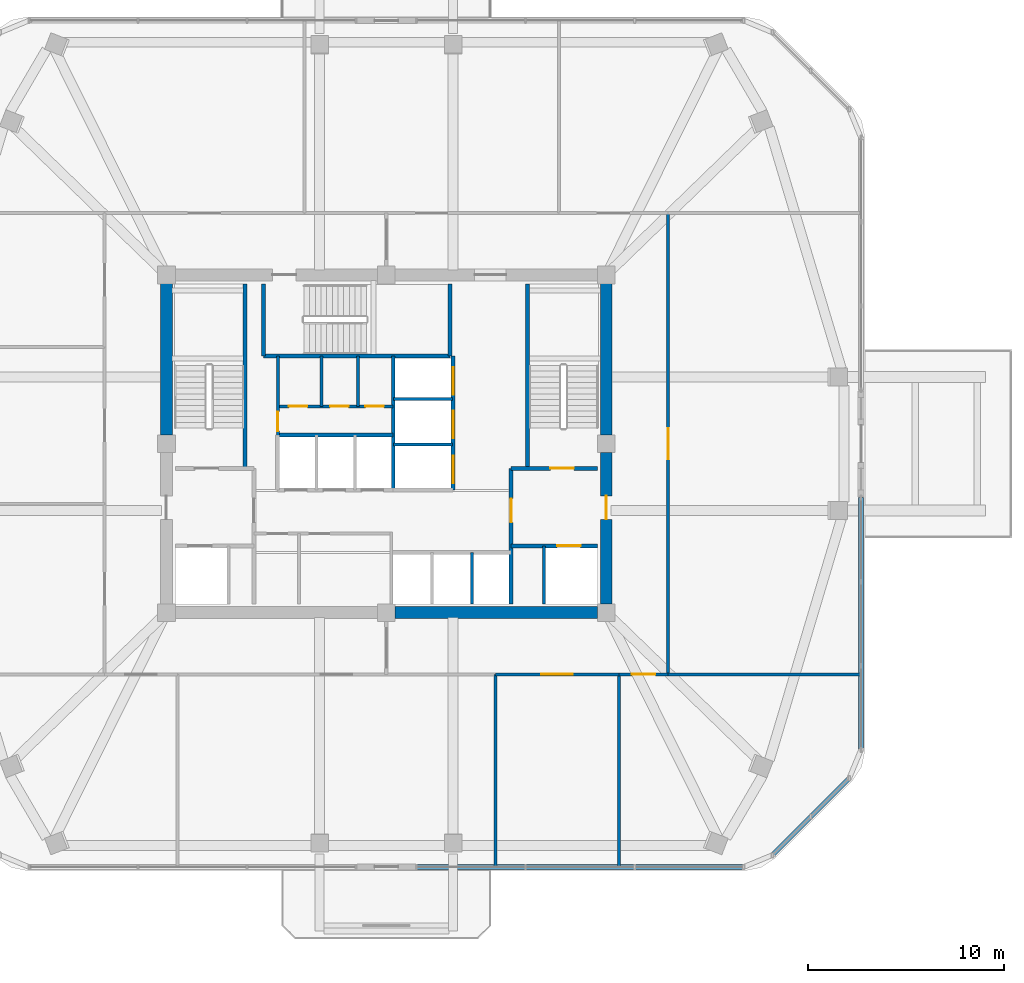
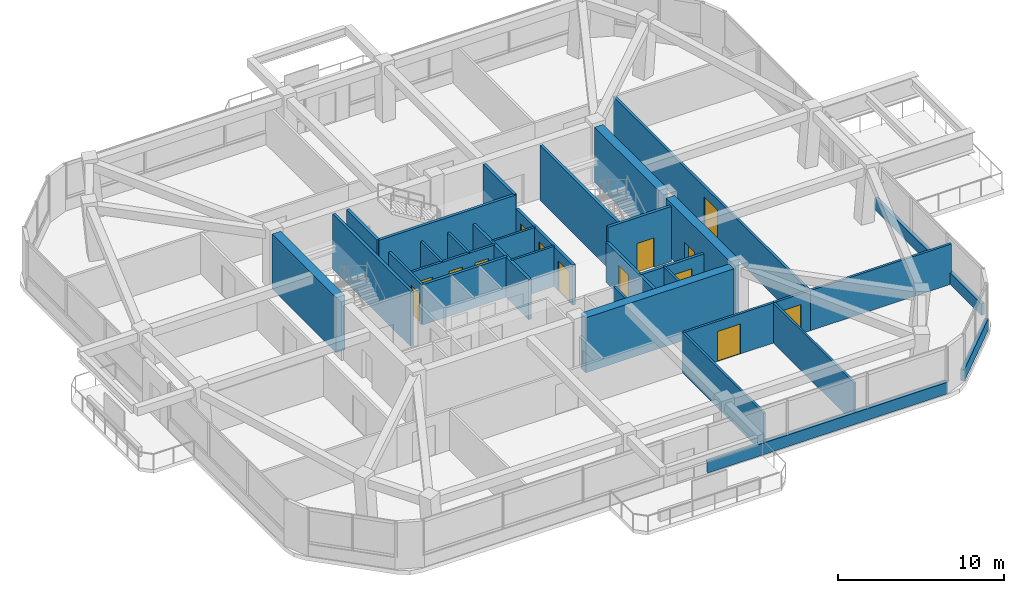
# One storey, part 8 of 13: 32 walls, 14 doors, 14 openings.
"""IFC4 building model written with IfcOpenShell, lengths in metres."""

from ifc_helpers import new_model, si_unit, derived_unit, direction, frame, frame_2d, origin, place, context, subcontext, project, spatial, rectangle, extrude, material, layer, layer_set, type_object, element, fill, save


model = new_model("IFC4")

# Units and contexts
model_context = context("Model", 3, precision=1e-05, world=origin(), true_north=direction((0.0, 1.0)))
body_context = subcontext(model_context, "Body", "Model", "MODEL_VIEW")
ifc_project = project(units=[si_unit("LENGTHUNIT", "METRE"), si_unit("AREAUNIT", "SQUARE_METRE"), si_unit("VOLUMEUNIT", "CUBIC_METRE"), si_unit("PLANEANGLEUNIT", "RADIAN"), si_unit("MASSUNIT", "GRAM", prefix="KILO"), derived_unit("THERMALTRANSMITTANCEUNIT", [(si_unit("POWERUNIT", "WATT"), 1), (si_unit("LENGTHUNIT", "METRE"), -2), (si_unit("THERMODYNAMICTEMPERATUREUNIT", "KELVIN"), -1)])], contexts=[model_context])

# Site, building, storey
site_placement = place(None, origin())
site = spatial("IfcSite", under=ifc_project, at=site_placement, CompositionType="ELEMENT")
building_placement = place(site_placement, origin())
building = spatial("IfcBuilding", under=site, at=building_placement, Name="Koralith Skygarden Medical Center", CompositionType="ELEMENT")
storey_placement = place(building_placement, frame((0.0, 0.0, 188.4599609375)))
storey = spatial("IfcBuildingStorey", under=building, at=storey_placement, Name="L48", CompositionType="ELEMENT", Elevation=188.4599609375)

# Walls
ifc_material_1 = material(Name="Gypsum Board Partition")
ifc_layer_1 = layer(ifc_material_1, 0.14990234375)
ifc_layer_set_1 = layer_set([ifc_layer_1], Name="Gypsum Board Partition")
wall_type_1 = type_object("IfcWallType", Name="Clinical Acoustic Partition 150", PredefinedType="PARTITIONING", material=ifc_layer_set_1)
for number, where, z_axis, x_axis, name in (
    (1, (33.699951171875, 27.800048828125, 0.0), (0.0, 0.0, 1.0), (0.0, 1.0, 0.0), "L48 Clinical Acoustic Partition 150 W-CORE-L48-FLEX-V2A"),
    (2, (35.56005859375, 27.800048828125, 0.0), (0.0, 0.0, 1.0), (0.0, 1.0, 0.0), "L48 Clinical Acoustic Partition 150 W-CORE-L48-FLEX-V2B"),
):
    element("IfcWall", number, at=place(storey_placement, frame(where, z_axis=z_axis, x_axis=x_axis)), inside=storey, type_object=wall_type_1, Name=name, PredefinedType="PARTITIONING", context=body_context, shape_type="SweptSolid", body=[
        extrude(rectangle(XDim=2.56005859375, YDim=0.14990234375, at=frame_2d((1.280029296875, 0.0))), origin(), (0.0, 0.0, 1.0), 2.949951171875),
    ])
for number, where, z_axis, x_axis, name in (
    (3, (42.553955078125, 14.14990234375, 0.0), (0.0, 0.0, 1.0), (0.0, -1.0, 0.0), "L48 Clinical Acoustic Partition 150 W-AMPART-L48-S-2"),
    (4, (48.85009765625, 14.14990234375, 0.0), (0.0, 0.0, 1.0), (0.0, -1.0, 0.0), "L48 Clinical Acoustic Partition 150 W-AMPART-L48-S-3"),
):
    element("IfcWall", number, at=place(storey_placement, frame(where, z_axis=z_axis, x_axis=x_axis)), inside=storey, type_object=wall_type_1, Name=name, PredefinedType="PARTITIONING", context=body_context, shape_type="SweptSolid", body=[
        extrude(rectangle(XDim=9.785888671875, YDim=0.14990234375, at=frame_2d((4.89306640625, 0.0))), origin(), (0.0, 0.0, 1.0), 2.949951171875),
    ])
ifc_layer_2 = layer(ifc_material_1, 0.1650390625)
ifc_layer_set_2 = layer_set([ifc_layer_2], Name="Gypsum Board Partition")
wall_type_2 = type_object("IfcWallType", Name="Clinical Corridor Partition 165", PredefinedType="PARTITIONING", material=ifc_layer_set_2)
wall_1_placement = place(storey_placement, frame((51.35009765625, 14.14990234375, 0.0), z_axis=(0.0, 0.0, 1.0), x_axis=(1.0, 0.0, 0.0)))
element("IfcWall", 5, at=wall_1_placement, inside=storey, type_object=wall_type_2, Name="L48 Clinical Corridor Partition 165 W-WB-L48-SE", PredefinedType="PARTITIONING", context=body_context, shape_type="SweptSolid", body=[
    extrude(rectangle(XDim=9.809814453125, YDim=0.1650390625, at=frame_2d((4.90478515625, 0.0))), origin(), (0.0, 0.0, 1.0), 2.949951171875),
])

# Wall, opening, door
wall_2_placement = place(storey_placement, frame((42.553955078125, 14.14990234375, 0.0), z_axis=(0.0, 0.0, 1.0), x_axis=(1.0, 0.0, 0.0)))
wall_2 = element("IfcWall", 6, at=wall_2_placement, inside=storey, type_object=wall_type_2, Name="L48 Clinical Corridor Partition 165 W-AMCOR-L48-S-3", PredefinedType="PARTITIONING", context=body_context, shape_type="SweptSolid", body=[
    extrude(rectangle(XDim=6.296142578125, YDim=0.1650390625, at=frame_2d((3.14794921875, 0.0))), origin(), (0.0, 0.0, 1.0), 2.949951171875),
])
opening_1_placement = place(wall_2_placement, frame((2.347900390625, 0.0, 0.0)))
opening_1 = element("IfcOpeningElement", 7, at=opening_1_placement, cuts=wall_2, Name="Opening D-DBL", PredefinedType="OPENING", context=body_context, shape_type="SweptSolid", body=[
    extrude(rectangle(XDim=1.60009765625, YDim=2.199951171875, at=frame_2d((0.800048828125, 1.10009765625))), frame((0.0, 0.092529296875, 0.0), z_axis=(0.0, -1.0, 0.0), x_axis=(1.0, 0.0, 0.0)), (0.0, 0.0, 1.0), 0.18505859375),
])
ifc_material_2 = material(Name="Aluminium 6063-T6", Category="aluminium")
door_type_1 = type_object("IfcDoorType", Name="Double Clinical Suite Door D-DBL 1600", OperationType="NOTDEFINED", PredefinedType="DOOR", material=ifc_material_2)
door_1_placement = place(opening_1_placement, frame((1.60009765625, 0.0, 0.0), z_axis=(0.0, 0.0, 1.0), x_axis=(-1.0, 0.0, 0.0)))
door_1 = element("IfcDoor", 8, at=door_1_placement, inside=storey, type_object=door_type_1, Name="L48 Rehabilitation Care Coordinator Office Door", OperationType="DOUBLE_DOOR_SINGLE_SWING", OverallHeight=2.199951171875, OverallWidth=1.60009765625, PredefinedType="DOOR", context=body_context, shape_type="SweptSolid", body=[
    extrude(rectangle(XDim=1.60009765625, YDim=2.199951171875, at=frame_2d((0.800048828125, 1.10009765625))), frame((0.0, 0.02490234375, 0.0), z_axis=(0.0, -1.0, 0.0), x_axis=(1.0, 0.0, 0.0)), (0.0, 0.0, 1.0), 0.050048828125),
])
fill(opening_1, door_1)

wall_3_placement = place(storey_placement, frame((48.85009765625, 14.14990234375, 0.0), z_axis=(0.0, 0.0, 1.0), x_axis=(1.0, 0.0, 0.0)))
wall_3 = element("IfcWall", 9, at=wall_3_placement, inside=storey, type_object=wall_type_2, Name="L48 Clinical Corridor Partition 165 W-AMCOR-L48-S-4", PredefinedType="PARTITIONING", context=body_context, shape_type="SweptSolid", body=[
    extrude(rectangle(XDim=2.5, YDim=0.1650390625, at=frame_2d((1.25, 0.0))), origin(), (0.0, 0.0, 1.0), 2.949951171875),
])
opening_2_placement = place(wall_3_placement, frame((0.64990234375, 0.0, 0.0)))
opening_2 = element("IfcOpeningElement", 10, at=opening_2_placement, cuts=wall_3, Name="Opening D-CLN", PredefinedType="OPENING", context=body_context, shape_type="SweptSolid", body=[
    extrude(rectangle(XDim=1.199951171875, YDim=2.14990234375, at=frame_2d((0.60009765625, 1.074951171875))), frame((0.0, 0.092529296875, 0.0), z_axis=(0.0, -1.0, 0.0), x_axis=(1.0, 0.0, 0.0)), (0.0, 0.0, 1.0), 0.18505859375),
])
door_type_2 = type_object("IfcDoorType", Name="Clinical Corridor Door D-CLN 1200", OperationType="NOTDEFINED", PredefinedType="DOOR", material=ifc_material_2)
door_2_placement = place(opening_2_placement, frame((1.199951171875, 0.0, 0.0), z_axis=(0.0, 0.0, 1.0), x_axis=(-1.0, 0.0, 0.0)))
door_2 = element("IfcDoor", 11, at=door_2_placement, inside=storey, type_object=door_type_2, Name="L48 Public Accessible Restroom WC Door", OperationType="SINGLE_SWING_LEFT", OverallHeight=2.14990234375, OverallWidth=1.199951171875, PredefinedType="DOOR", context=body_context, shape_type="SweptSolid", body=[
    extrude(rectangle(XDim=1.199951171875, YDim=2.14990234375, at=frame_2d((0.60009765625, 1.074951171875))), frame((0.0, 0.02490234375, 0.0), z_axis=(0.0, -1.0, 0.0), x_axis=(1.0, 0.0, 0.0)), (0.0, 0.0, 1.0), 0.050048828125),
])
fill(opening_2, door_2)

wall_4_placement = place(storey_placement, frame((51.35009765625, 14.14990234375, 0.0), z_axis=(0.0, 0.0, 1.0), x_axis=(0.0, 1.0, 0.0)))
wall_4 = element("IfcWall", 12, at=wall_4_placement, inside=storey, type_object=wall_type_2, Name="L48 Clinical Corridor Partition 165 W-AMCOR-L48-E-1", PredefinedType="PARTITIONING", context=body_context, shape_type="SweptSolid", body=[
    extrude(rectangle(XDim=23.5, YDim=0.1650390625, at=frame_2d((11.75, 0.0))), origin(), (0.0, 0.0, 1.0), 2.949951171875),
])
opening_3_placement = place(wall_4_placement, frame((10.949951171875, 0.0, 0.0)))
opening_3 = element("IfcOpeningElement", 13, at=opening_3_placement, cuts=wall_4, Name="Opening D-DBL", PredefinedType="OPENING", context=body_context, shape_type="SweptSolid", body=[
    extrude(rectangle(XDim=1.60009765625, YDim=2.199951171875, at=frame_2d((0.800048828125, 1.10009765625))), frame((0.0, 0.092529296875, 0.0), z_axis=(0.0, -1.0, 0.0), x_axis=(1.0, 0.0, 0.0)), (0.0, 0.0, 1.0), 0.18505859375),
])
door_3_placement = place(opening_3_placement, origin())
door_3 = element("IfcDoor", 14, at=door_3_placement, inside=storey, type_object=door_type_1, Name="L48 Hydrotherapy Sky-Pool Lounge and Observation Hall Door", OperationType="DOUBLE_DOOR_SINGLE_SWING", OverallHeight=2.199951171875, OverallWidth=1.60009765625, PredefinedType="DOOR", context=body_context, shape_type="SweptSolid", body=[
    extrude(rectangle(XDim=1.60009765625, YDim=2.199951171875, at=frame_2d((0.800048828125, 1.10009765625))), frame((0.0, 0.02490234375, 0.0), z_axis=(0.0, -1.0, 0.0), x_axis=(1.0, 0.0, 0.0)), (0.0, 0.0, 1.0), 0.050048828125),
])
fill(opening_3, door_3)

ifc_layer_3 = layer(ifc_material_1, 0.199951171875)
ifc_layer_set_3 = layer_set([ifc_layer_3], Name="Gypsum Board Partition")
wall_type_3 = type_object("IfcWallType", Name="Fire Shaft Wall 200", PredefinedType="SOLIDWALL", material=ifc_layer_set_3)
wall_5_placement = place(storey_placement, frame((43.35009765625, 20.699951171875, 0.0), z_axis=(0.0, 0.0, 1.0), x_axis=(1.0, 0.0, 0.0)))
wall_5 = element("IfcWall", 15, at=wall_5_placement, inside=storey, type_object=wall_type_3, Name="L48 Fire Shaft Wall 200 W-CORE-L48-FF2-N", PredefinedType="SOLIDWALL", context=body_context, shape_type="SweptSolid", body=[
    extrude(rectangle(XDim=4.39990234375, YDim=0.199951171875, at=frame_2d((2.199951171875, 0.0))), origin(), (0.0, 0.0, 1.0), 2.949951171875),
])
opening_4_placement = place(wall_5_placement, frame((2.35009765625, 0.0, 0.0)))
opening_4 = element("IfcOpeningElement", 16, at=opening_4_placement, cuts=wall_5, Name="Opening LD-FF", PredefinedType="OPENING", context=body_context, shape_type="SweptSolid", body=[
    extrude(rectangle(XDim=1.199951171875, YDim=2.14990234375, at=frame_2d((0.60009765625, 1.074951171875))), frame((0.0, 0.10986328125, 0.0), z_axis=(0.0, -1.0, 0.0), x_axis=(1.0, 0.0, 0.0)), (0.0, 0.0, 1.0), 0.219970703125),
])
ifc_material_3 = material(Name="Steel ASTM A500 Grade C", Category="steel")
door_type_3 = type_object("IfcDoorType", Name="Fire Lift Sliding Landing Door LD-FF 1200", OperationType="NOTDEFINED", PredefinedType="DOOR", material=ifc_material_3)
door_4_placement = place(opening_4_placement, origin())
door_4 = element("IfcDoor", 17, at=door_4_placement, inside=storey, type_object=door_type_3, Name="L48 Fire Service Elevator FF2 Landing Door", OperationType="SLIDING_TO_RIGHT", OverallHeight=2.14990234375, OverallWidth=1.199951171875, PredefinedType="DOOR", context=body_context, shape_type="SweptSolid", body=[
    extrude(rectangle(XDim=1.199951171875, YDim=2.14990234375, at=frame_2d((0.60009765625, 1.074951171875))), frame((0.0, 0.02490234375, 0.0), z_axis=(0.0, -1.0, 0.0), x_axis=(1.0, 0.0, 0.0)), (0.0, 0.0, 1.0), 0.050048828125),
])
fill(opening_4, door_4)

wall_6_placement = place(storey_placement, frame((43.35009765625, 17.75, 0.0), z_axis=(0.0, 0.0, 1.0), x_axis=(0.0, 1.0, 0.0)))
wall_6 = element("IfcWall", 18, at=wall_6_placement, inside=storey, type_object=wall_type_3, Name="L48 Fire Shaft Wall 200 W-CORE-L48-FSAEE-W", PredefinedType="SOLIDWALL", context=body_context, shape_type="SweptSolid", body=[
    extrude(rectangle(XDim=6.89990234375, YDim=0.199951171875, at=frame_2d((3.449951171875, 0.0))), origin(), (0.0, 0.0, 1.0), 2.949951171875),
])
opening_5_placement = place(wall_6_placement, frame((4.14990234375, 0.0, 0.0)))
opening_5 = element("IfcOpeningElement", 19, at=opening_5_placement, cuts=wall_6, Name="Opening D-ST60", PredefinedType="OPENING", context=body_context, shape_type="SweptSolid", body=[
    extrude(rectangle(XDim=1.199951171875, YDim=2.14990234375, at=frame_2d((0.60009765625, 1.074951171875))), frame((0.0, 0.10986328125, 0.0), z_axis=(0.0, -1.0, 0.0), x_axis=(1.0, 0.0, 0.0)), (0.0, 0.0, 1.0), 0.219970703125),
])
door_type_4 = type_object("IfcDoorType", Name="Smokeproof Stair Fire Door FD60S 1200", OperationType="NOTDEFINED", PredefinedType="DOOR", material=ifc_material_3)
door_5_placement = place(opening_5_placement, frame((1.199951171875, 0.0, 0.0), z_axis=(0.0, 0.0, 1.0), x_axis=(-1.0, 0.0, 0.0)))
door_5 = element("IfcDoor", 20, at=door_5_placement, inside=storey, type_object=door_type_4, Name="L48 East Firefighting Lobby Inner Fire Door", OperationType="SINGLE_SWING_RIGHT", OverallHeight=2.14990234375, OverallWidth=1.199951171875, PredefinedType="DOOR", context=body_context, shape_type="SweptSolid", body=[
    extrude(rectangle(XDim=1.199951171875, YDim=2.14990234375, at=frame_2d((0.60009765625, 1.074951171875))), frame((0.0, 0.02490234375, 0.0), z_axis=(0.0, -1.0, 0.0), x_axis=(1.0, 0.0, 0.0)), (0.0, 0.0, 1.0), 0.050048828125),
])
fill(opening_5, door_5)

# Walls
wall_7_placement = place(storey_placement, frame((31.449951171875, 26.35009765625, 0.0), z_axis=(0.0, 0.0, 1.0), x_axis=(1.0, 0.0, 0.0)))
element("IfcWall", 21, at=wall_7_placement, inside=storey, type_object=wall_type_3, Name="L48 Fire Shaft Wall 200 W-CORE-L48-PH-N", PredefinedType="SOLIDWALL", context=body_context, shape_type="SweptSolid", body=[
    extrude(rectangle(XDim=5.900146484375, YDim=0.199951171875, at=frame_2d((2.9501953125, 0.0))), origin(), (0.0, 0.0, 1.0), 2.949951171875),
])
wall_8_placement = place(storey_placement, frame((37.35009765625, 23.5400390625, 0.0), z_axis=(0.0, 0.0, 1.0), x_axis=(0.0, 1.0, 0.0)))
element("IfcWall", 22, at=wall_8_placement, inside=storey, type_object=wall_type_3, Name="L48 Fire Shaft Wall 200 W-CORE-L48-SV-W", PredefinedType="SOLIDWALL", context=body_context, shape_type="SweptSolid", body=[
    extrude(rectangle(XDim=6.820068359375, YDim=0.199951171875, at=frame_2d((3.41015625, 0.0))), origin(), (0.0, 0.0, 1.0), 2.949951171875),
])

# Wall, openings, doors
wall_9_placement = place(storey_placement, frame((40.39990234375, 23.5400390625, 0.0), z_axis=(0.0, 0.0, 1.0), x_axis=(0.0, 1.0, 0.0)))
wall_9 = element("IfcWall", 23, at=wall_9_placement, inside=storey, type_object=wall_type_3, Name="L48 Fire Shaft Wall 200 W-CORE-L48-SV-E", PredefinedType="SOLIDWALL", context=body_context, shape_type="SweptSolid", body=[
    extrude(rectangle(XDim=6.820068359375, YDim=0.199951171875, at=frame_2d((3.41015625, 0.0))), origin(), (0.0, 0.0, 1.0), 2.949951171875),
])
opening_6_placement = place(wall_9_placement, frame((0.35009765625, 0.0, 0.0)))
opening_6 = element("IfcOpeningElement", 24, at=opening_6_placement, cuts=wall_9, Name="Opening LD-SV", PredefinedType="OPENING", context=body_context, shape_type="SweptSolid", body=[
    extrude(rectangle(XDim=1.39990234375, YDim=2.199951171875, at=frame_2d((0.699951171875, 1.10009765625))), frame((0.0, 0.10986328125, 0.0), z_axis=(0.0, -1.0, 0.0), x_axis=(1.0, 0.0, 0.0)), (0.0, 0.0, 1.0), 0.219970703125),
])
opening_7_placement = place(wall_9_placement, frame((2.64990234375, 0.0, 0.0)))
opening_7 = element("IfcOpeningElement", 25, at=opening_7_placement, cuts=wall_9, Name="Opening LD-SV", PredefinedType="OPENING", context=body_context, shape_type="SweptSolid", body=[
    extrude(rectangle(XDim=1.39990234375, YDim=2.199951171875, at=frame_2d((0.699951171875, 1.10009765625))), frame((0.0, 0.10986328125, 0.0), z_axis=(0.0, -1.0, 0.0), x_axis=(1.0, 0.0, 0.0)), (0.0, 0.0, 1.0), 0.219970703125),
])
opening_8_placement = place(wall_9_placement, frame((4.85009765625, 0.0, 0.0)))
opening_8 = element("IfcOpeningElement", 26, at=opening_8_placement, cuts=wall_9, Name="Opening LD-SV", PredefinedType="OPENING", context=body_context, shape_type="SweptSolid", body=[
    extrude(rectangle(XDim=1.39990234375, YDim=2.199951171875, at=frame_2d((0.699951171875, 1.10009765625))), frame((0.0, 0.10986328125, 0.0), z_axis=(0.0, -1.0, 0.0), x_axis=(1.0, 0.0, 0.0)), (0.0, 0.0, 1.0), 0.219970703125),
])
door_type_5 = type_object("IfcDoorType", Name="Bed Lift Sliding Landing Door LD-SV 1400", OperationType="NOTDEFINED", PredefinedType="DOOR", material=ifc_material_3)
door_6_placement = place(opening_6_placement, origin())
door_6 = element("IfcDoor", 27, at=door_6_placement, inside=storey, type_object=door_type_5, Name="L48 Bed Elevator BD1 Landing Door", OperationType="SLIDING_TO_LEFT", OverallHeight=2.199951171875, OverallWidth=1.39990234375, PredefinedType="DOOR", context=body_context, shape_type="SweptSolid", body=[
    extrude(rectangle(XDim=1.39990234375, YDim=2.199951171875, at=frame_2d((0.699951171875, 1.10009765625))), frame((0.0, 0.02490234375, 0.0), z_axis=(0.0, -1.0, 0.0), x_axis=(1.0, 0.0, 0.0)), (0.0, 0.0, 1.0), 0.050048828125),
])
fill(opening_6, door_6)
door_7_placement = place(opening_7_placement, origin())
door_7 = element("IfcDoor", 28, at=door_7_placement, inside=storey, type_object=door_type_5, Name="L48 Service Elevator BD2 Landing Door", OperationType="SLIDING_TO_LEFT", OverallHeight=2.199951171875, OverallWidth=1.39990234375, PredefinedType="DOOR", context=body_context, shape_type="SweptSolid", body=[
    extrude(rectangle(XDim=1.39990234375, YDim=2.199951171875, at=frame_2d((0.699951171875, 1.10009765625))), frame((0.0, 0.02490234375, 0.0), z_axis=(0.0, -1.0, 0.0), x_axis=(1.0, 0.0, 0.0)), (0.0, 0.0, 1.0), 0.050048828125),
])
fill(opening_7, door_7)
door_8_placement = place(opening_8_placement, origin())
door_8 = element("IfcDoor", 29, at=door_8_placement, inside=storey, type_object=door_type_5, Name="L48 Trauma Elevator TR1 Landing Door", OperationType="SLIDING_TO_RIGHT", OverallHeight=2.199951171875, OverallWidth=1.39990234375, PredefinedType="DOOR", context=body_context, shape_type="SweptSolid", body=[
    extrude(rectangle(XDim=1.39990234375, YDim=2.199951171875, at=frame_2d((0.699951171875, 1.10009765625))), frame((0.0, 0.02490234375, 0.0), z_axis=(0.0, -1.0, 0.0), x_axis=(1.0, 0.0, 0.0)), (0.0, 0.0, 1.0), 0.050048828125),
])
fill(opening_8, door_8)

# Walls
ifc_material_4 = material(Name="Warm Oolitic Limestone Cladding", Category="masonry")
ifc_layer_4 = layer(ifc_material_4, 0.239990234375)
ifc_layer_set_4 = layer_set([ifc_layer_4], Name="Warm Oolitic Limestone Cladding")
wall_type_4 = type_object("IfcWallType", Name="Limestone Spandrel Sill Backup Wall 240", PredefinedType="SOLIDWALL", material=ifc_layer_set_4)
wall_10_placement = place(storey_placement, frame((38.5400390625, 4.344970703125, 0.0), z_axis=(0.0, 0.0, 1.0), x_axis=(1.0, 0.0, 0.0)))
element("IfcWall", 30, at=wall_10_placement, inside=storey, type_object=wall_type_4, Name="L48 Sill Spandrel S-R", PredefinedType="SOLIDWALL", context=body_context, shape_type="SweptSolid", body=[
    extrude(rectangle(XDim=16.6650390625, YDim=0.239990234375, at=frame_2d((8.33251953125, 0.0))), origin(), (0.0, 0.0, 1.0), 0.85009765625),
])
wall_11_placement = place(storey_placement, frame((56.656005859375, 4.946044921875, 0.0), z_axis=(0.0, 0.0, 1.0), x_axis=(0.707128783731, 0.707084777957, 0.0)))
element("IfcWall", 31, at=wall_11_placement, inside=storey, type_object=wall_type_4, Name="L48 Sill Spandrel SE", PredefinedType="SOLIDWALL", context=body_context, shape_type="SweptSolid", body=[
    extrude(rectangle(XDim=5.5478515625, YDim=0.239990234375, at=frame_2d((2.77392578125, 0.0))), origin(), (0.0, 0.0, 1.0), 0.85009765625),
])
wall_12_placement = place(storey_placement, frame((61.179931640625, 10.320068359375, 0.0), z_axis=(0.0, 0.0, 1.0), x_axis=(0.0, 1.0, 0.0)))
element("IfcWall", 32, at=wall_12_placement, inside=storey, type_object=wall_type_4, Name="L48 Sill Spandrel E-L", PredefinedType="SOLIDWALL", context=body_context, shape_type="SweptSolid", body=[
    extrude(rectangle(XDim=12.83984375, YDim=0.239990234375, at=frame_2d((6.419921875, 0.0))), origin(), (0.0, 0.0, 1.0), 0.85009765625),
])

# Wall, opening, door
ifc_layer_5 = layer(ifc_material_1, 0.1650390625)
ifc_layer_set_5 = layer_set([ifc_layer_5], Name="Gypsum Board Partition")
wall_type_5 = type_object("IfcWallType", Name="Plumbing Wet Wall 165", PredefinedType="PLUMBINGWALL", material=ifc_layer_set_5)
wall_13_placement = place(storey_placement, frame((31.47998046875, 26.320068359375, 0.0), z_axis=(0.0, 0.0, 1.0), x_axis=(0.0, 1.0, 0.0)))
wall_13 = element("IfcWall", 33, at=wall_13_placement, inside=storey, type_object=wall_type_5, Name="L48 Plumbing Wet Wall 165 W-CORE-L48-FLEX-W", PredefinedType="PLUMBINGWALL", context=body_context, shape_type="SweptSolid", body=[
    extrude(rectangle(XDim=4.0400390625, YDim=0.1650390625, at=frame_2d((2.02001953125, 0.0))), origin(), (0.0, 0.0, 1.0), 2.949951171875),
])
opening_9_placement = place(wall_13_placement, frame((0.219970703125, 0.0, 0.0)))
opening_9 = element("IfcOpeningElement", 34, at=opening_9_placement, cuts=wall_13, Name="Opening D-SUP", PredefinedType="OPENING", context=body_context, shape_type="SweptSolid", body=[
    extrude(rectangle(XDim=1.0, YDim=2.14990234375, at=frame_2d((0.5, 1.074951171875))), frame((0.0, 0.092529296875, 0.0), z_axis=(0.0, -1.0, 0.0), x_axis=(1.0, 0.0, 0.0)), (0.0, 0.0, 1.0), 0.18505859375),
])
door_type_6 = type_object("IfcDoorType", Name="Clinical Support Door D-SUP 1000", OperationType="NOTDEFINED", PredefinedType="DOOR", material=ifc_material_2)
door_9_placement = place(opening_9_placement, frame((1.0, 0.0, 0.0), z_axis=(0.0, 0.0, 1.0), x_axis=(-1.0, 0.0, 0.0)))
door_9 = element("IfcDoor", 35, at=door_9_placement, inside=storey, type_object=door_type_6, Name="L48 Core Service Alcove Door", OperationType="SINGLE_SWING_LEFT", OverallHeight=2.14990234375, OverallWidth=1.0, PredefinedType="DOOR", context=body_context, shape_type="SweptSolid", body=[
    extrude(rectangle(XDim=1.0, YDim=2.14990234375, at=frame_2d((0.5, 1.074951171875))), frame((0.0, 0.02490234375, 0.0), z_axis=(0.0, -1.0, 0.0), x_axis=(1.0, 0.0, 0.0)), (0.0, 0.0, 1.0), 0.050048828125),
])
fill(opening_9, door_9)

# Wall, openings, doors
wall_14_placement = place(storey_placement, frame((31.47998046875, 27.800048828125, 0.0), z_axis=(0.0, 0.0, 1.0), x_axis=(1.0, 0.0, 0.0)))
wall_14 = element("IfcWall", 36, at=wall_14_placement, inside=storey, type_object=wall_type_5, Name="L48 Plumbing Wet Wall 165 W-CORE-L48-FLEX-H2", PredefinedType="PLUMBINGWALL", context=body_context, shape_type="SweptSolid", body=[
    extrude(rectangle(XDim=5.8701171875, YDim=0.1650390625, at=frame_2d((2.93505859375, 0.0))), origin(), (0.0, 0.0, 1.0), 2.949951171875),
])
opening_10_placement = place(wall_14_placement, frame((0.550048828125, 0.0, 0.0)))
opening_10 = element("IfcOpeningElement", 37, at=opening_10_placement, cuts=wall_14, Name="Opening D-WC", PredefinedType="OPENING", context=body_context, shape_type="SweptSolid", body=[
    extrude(rectangle(XDim=0.949951171875, YDim=2.10009765625, at=frame_2d((0.47509765625, 1.050048828125))), frame((0.0, 0.092529296875, 0.0), z_axis=(0.0, -1.0, 0.0), x_axis=(1.0, 0.0, 0.0)), (0.0, 0.0, 1.0), 0.18505859375),
])
opening_11_placement = place(wall_14_placement, frame((2.64990234375, 0.0, 0.0)))
opening_11 = element("IfcOpeningElement", 38, at=opening_11_placement, cuts=wall_14, Name="Opening D-WC", PredefinedType="OPENING", context=body_context, shape_type="SweptSolid", body=[
    extrude(rectangle(XDim=0.949951171875, YDim=2.10009765625, at=frame_2d((0.47509765625, 1.050048828125))), frame((0.0, 0.092529296875, 0.0), z_axis=(0.0, -1.0, 0.0), x_axis=(1.0, 0.0, 0.0)), (0.0, 0.0, 1.0), 0.18505859375),
])
opening_12_placement = place(wall_14_placement, frame((4.449951171875, 0.0, 0.0)))
opening_12 = element("IfcOpeningElement", 39, at=opening_12_placement, cuts=wall_14, Name="Opening D-WC", PredefinedType="OPENING", context=body_context, shape_type="SweptSolid", body=[
    extrude(rectangle(XDim=0.949951171875, YDim=2.10009765625, at=frame_2d((0.47509765625, 1.050048828125))), frame((0.0, 0.092529296875, 0.0), z_axis=(0.0, -1.0, 0.0), x_axis=(1.0, 0.0, 0.0)), (0.0, 0.0, 1.0), 0.18505859375),
])
door_type_7 = type_object("IfcDoorType", Name="Accessible Toilet Door D-WC 950", OperationType="NOTDEFINED", PredefinedType="DOOR", material=ifc_material_2)
door_10_placement = place(opening_10_placement, origin())
door_10 = element("IfcDoor", 40, at=door_10_placement, inside=storey, type_object=door_type_7, Name="L48 Core Accessible WC Door", OperationType="SINGLE_SWING_LEFT", OverallHeight=2.10009765625, OverallWidth=0.949951171875, PredefinedType="DOOR", context=body_context, shape_type="SweptSolid", body=[
    extrude(rectangle(XDim=0.949951171875, YDim=2.10009765625, at=frame_2d((0.47509765625, 1.050048828125))), frame((0.0, 0.02490234375, 0.0), z_axis=(0.0, -1.0, 0.0), x_axis=(1.0, 0.0, 0.0)), (0.0, 0.0, 1.0), 0.050048828125),
])
fill(opening_10, door_10)
door_11_placement = place(opening_11_placement, origin())
door_11 = element("IfcDoor", 41, at=door_11_placement, inside=storey, type_object=door_type_7, Name="L48 Soiled Sluice Door", OperationType="SINGLE_SWING_LEFT", OverallHeight=2.10009765625, OverallWidth=0.949951171875, PredefinedType="DOOR", context=body_context, shape_type="SweptSolid", body=[
    extrude(rectangle(XDim=0.949951171875, YDim=2.10009765625, at=frame_2d((0.47509765625, 1.050048828125))), frame((0.0, 0.02490234375, 0.0), z_axis=(0.0, -1.0, 0.0), x_axis=(1.0, 0.0, 0.0)), (0.0, 0.0, 1.0), 0.050048828125),
])
fill(opening_11, door_11)
door_12_placement = place(opening_12_placement, origin())
door_12 = element("IfcDoor", 42, at=door_12_placement, inside=storey, type_object=door_type_7, Name="L48 Clean Linen Store Door", OperationType="SINGLE_SWING_RIGHT", OverallHeight=2.10009765625, OverallWidth=0.949951171875, PredefinedType="DOOR", context=body_context, shape_type="SweptSolid", body=[
    extrude(rectangle(XDim=0.949951171875, YDim=2.10009765625, at=frame_2d((0.47509765625, 1.050048828125))), frame((0.0, 0.02490234375, 0.0), z_axis=(0.0, -1.0, 0.0), x_axis=(1.0, 0.0, 0.0)), (0.0, 0.0, 1.0), 0.050048828125),
])
fill(opening_12, door_12)

# Walls
ifc_layer_6 = layer(ifc_material_1, 0.14990234375)
ifc_layer_set_6 = layer_set([ifc_layer_6], Name="Gypsum Board Partition")
wall_type_6 = type_object("IfcWallType", Name="Shaft Partition Wall 150", PredefinedType="PARTITIONING", material=ifc_layer_set_6)
wall_15_placement = place(storey_placement, frame((45.02001953125, 17.75, 0.0), z_axis=(0.0, 0.0, 1.0), x_axis=(0.0, 1.0, 0.0)))
element("IfcWall", 43, at=wall_15_placement, inside=storey, type_object=wall_type_6, Name="L48 Shaft Partition Wall 150 W-CORE-L48-RSRE-DIV", PredefinedType="PARTITIONING", context=body_context, shape_type="SweptSolid", body=[
    extrude(rectangle(XDim=2.949951171875, YDim=0.14990234375, at=frame_2d((1.47509765625, 0.0))), origin(), (0.0, 0.0, 1.0), 2.949951171875),
])
wall_16_placement = place(storey_placement, frame((41.3701171875, 17.75, 0.0), z_axis=(0.0, 0.0, 1.0), x_axis=(0.0, 1.0, 0.0)))
element("IfcWall", 44, at=wall_16_placement, inside=storey, type_object=wall_type_6, Name="L48 Shaft Partition Wall 150 W-CORE-L48-PM-D2", PredefinedType="PARTITIONING", context=body_context, shape_type="SweptSolid", body=[
    extrude(rectangle(XDim=2.610107421875, YDim=0.14990234375, at=frame_2d((1.30517578125, 0.0))), origin(), (0.0, 0.0, 1.0), 2.949951171875),
])
for number, where, z_axis, x_axis, name in (
    (45, (37.3701171875, 25.8701171875, 0.0), (0.0, 0.0, 1.0), (1.0, 0.0, 0.0), "L48 Shaft Partition Wall 150 W-CORE-L48-SV-D1"),
    (46, (37.3701171875, 28.169921875, 0.0), (0.0, 0.0, 1.0), (1.0, 0.0, 0.0), "L48 Shaft Partition Wall 150 W-CORE-L48-SV-D2"),
):
    element("IfcWall", number, at=place(storey_placement, frame(where, z_axis=z_axis, x_axis=x_axis)), inside=storey, type_object=wall_type_6, Name=name, PredefinedType="PARTITIONING", context=body_context, shape_type="SweptSolid", body=[
        extrude(rectangle(XDim=3.009765625, YDim=0.14990234375, at=frame_2d((1.5048828125, 0.0))), origin(), (0.0, 0.0, 1.0), 2.949951171875),
    ])
ifc_material_5 = material(Name="Concrete C45/55", Category="concrete")
ifc_layer_7 = layer(ifc_material_5, 0.199951171875)
ifc_layer_set_7 = layer_set([ifc_layer_7], Name="Concrete C45/55")
wall_type_7 = type_object("IfcWallType", Name="Structural Stair Shaft Wall 200", PredefinedType="SHEAR", material=ifc_layer_set_7)
for number, where, z_axis, x_axis, name in (
    (47, (29.800048828125, 24.64990234375, 0.0), (0.0, 0.0, 1.0), (0.0, 1.0, 0.0), "L48 Structural Stair Shaft Wall 200 W-CORE-L48-ST1-E"),
    (48, (44.199951171875, 24.64990234375, 0.0), (0.0, 0.0, 1.0), (0.0, 1.0, 0.0), "L48 Structural Stair Shaft Wall 200 W-CORE-L48-ST2-W"),
):
    element("IfcWall", number, at=place(storey_placement, frame(where, z_axis=z_axis, x_axis=x_axis)), inside=storey, type_object=wall_type_7, Name=name, PredefinedType="SHEAR", context=body_context, shape_type="SweptSolid", body=[
        extrude(rectangle(XDim=9.400146484375, YDim=0.199951171875, at=frame_2d((4.7001953125, 0.0))), origin(), (0.0, 0.0, 1.0), 4.0400390625),
    ])

# Wall, opening, door
wall_17_placement = place(storey_placement, frame((43.35009765625, 24.64990234375, 0.0), z_axis=(0.0, 0.0, 1.0), x_axis=(1.0, 0.0, 0.0)))
wall_17 = element("IfcWall", 49, at=wall_17_placement, inside=storey, type_object=wall_type_7, Name="L48 Structural Stair Shaft Wall 200 W-CORE-L48-ST2-S", PredefinedType="SHEAR", context=body_context, shape_type="SweptSolid", body=[
    extrude(rectangle(XDim=4.39990234375, YDim=0.199951171875, at=frame_2d((2.199951171875, 0.0))), origin(), (0.0, 0.0, 1.0), 4.0400390625),
])
opening_13_placement = place(wall_17_placement, frame((2.0, 0.0, 0.0)))
opening_13 = element("IfcOpeningElement", 50, at=opening_13_placement, cuts=wall_17, Name="Opening D-ST60", PredefinedType="OPENING", context=body_context, shape_type="SweptSolid", body=[
    extrude(rectangle(XDim=1.199951171875, YDim=2.14990234375, at=frame_2d((0.60009765625, 1.074951171875))), frame((0.0, 0.10986328125, 0.0), z_axis=(0.0, -1.0, 0.0), x_axis=(1.0, 0.0, 0.0)), (0.0, 0.0, 1.0), 0.219970703125),
])
door_13_placement = place(opening_13_placement, origin())
door_13 = element("IfcDoor", 51, at=door_13_placement, inside=storey, type_object=door_type_4, Name="L48 Exit Stair ST2 Fire Door", OperationType="SINGLE_SWING_RIGHT", OverallHeight=2.14990234375, OverallWidth=1.199951171875, PredefinedType="DOOR", context=body_context, shape_type="SweptSolid", body=[
    extrude(rectangle(XDim=1.199951171875, YDim=2.14990234375, at=frame_2d((0.60009765625, 1.074951171875))), frame((0.0, 0.02490234375, 0.0), z_axis=(0.0, -1.0, 0.0), x_axis=(1.0, 0.0, 0.0)), (0.0, 0.0, 1.0), 0.050048828125),
])
fill(opening_13, door_13)

# Walls
wall_18_placement = place(storey_placement, frame((30.75, 30.360107421875, 0.0), z_axis=(0.0, 0.0, 1.0), x_axis=(1.0, 0.0, 0.0)))
element("IfcWall", 52, at=wall_18_placement, inside=storey, type_object=wall_type_7, Name="L48 Structural Stair Shaft Wall 200 W-CORE-L48-ST3-S", PredefinedType="SHEAR", context=body_context, shape_type="SweptSolid", body=[
    extrude(rectangle(XDim=9.5, YDim=0.199951171875, at=frame_2d((4.75, 0.0))), origin(), (0.0, 0.0, 1.0), 4.0400390625),
])
for number, where, z_axis, x_axis, name in (
    (53, (30.75, 30.360107421875, 0.0), (0.0, 0.0, 1.0), (0.0, 1.0, 0.0), "L48 Structural Stair Shaft Wall 200 W-CORE-L48-ST3-W"),
    (54, (40.25, 30.360107421875, 0.0), (0.0, 0.0, 1.0), (0.0, 1.0, 0.0), "L48 Structural Stair Shaft Wall 200 W-CORE-L48-ST3-E"),
):
    element("IfcWall", number, at=place(storey_placement, frame(where, z_axis=z_axis, x_axis=x_axis)), inside=storey, type_object=wall_type_7, Name=name, PredefinedType="SHEAR", context=body_context, shape_type="SweptSolid", body=[
        extrude(rectangle(XDim=3.68994140625, YDim=0.199951171875, at=frame_2d((1.844970703125, 0.0))), origin(), (0.0, 0.0, 1.0), 4.0400390625),
    ])
ifc_material_6 = material(Name="Concrete C55/67", Category="concrete")
ifc_layer_8 = layer(ifc_material_6, 0.60009765625)
ifc_layer_set_8 = layer_set([ifc_layer_8], Name="Concrete C55/67")
wall_type_8 = type_object("IfcWallType", Name="Upper Core Shear Wall 600", PredefinedType="SHEAR", material=ifc_layer_set_8)
wall_19_placement = place(storey_placement, frame((37.445068359375, 17.300048828125, 0.0), z_axis=(0.0, 0.0, 1.0), x_axis=(1.0, 0.0, 0.0)))
element("IfcWall", 55, at=wall_19_placement, inside=storey, type_object=wall_type_8, Name="L48 Core Shear Wall Segment 2", PredefinedType="SHEAR", context=body_context, shape_type="SweptSolid", body=[
    extrude(rectangle(XDim=10.309814453125, YDim=0.60009765625, at=frame_2d((5.15478515625, 0.0))), origin(), (0.0, 0.0, 1.0), 4.0400390625),
])

# Wall, opening, door
wall_20_placement = place(storey_placement, frame((48.199951171875, 17.7451171875, 0.0), z_axis=(0.0, 0.0, 1.0), x_axis=(0.0, 1.0, 0.0)))
wall_20 = element("IfcWall", 56, at=wall_20_placement, inside=storey, type_object=wall_type_8, Name="L48 Core Shear Wall Segment 3", PredefinedType="SHEAR", context=body_context, shape_type="SweptSolid", body=[
    extrude(rectangle(XDim=7.7099609375, YDim=0.60009765625, at=frame_2d((3.85498046875, 0.0))), origin(), (0.0, 0.0, 1.0), 4.0400390625),
])
opening_14_placement = place(wall_20_placement, frame((4.304931640625, 0.0, 0.0)))
opening_14 = element("IfcOpeningElement", 57, at=opening_14_placement, cuts=wall_20, Name="Opening D-ST60", PredefinedType="OPENING", context=body_context, shape_type="SweptSolid", body=[
    extrude(rectangle(XDim=1.199951171875, YDim=2.14990234375, at=frame_2d((0.60009765625, 1.074951171875))), frame((0.0, 0.31005859375, 0.0), z_axis=(0.0, -1.0, 0.0), x_axis=(1.0, 0.0, 0.0)), (0.0, 0.0, 1.0), 0.6201171875),
])
door_14_placement = place(opening_14_placement, frame((1.199951171875, 0.0, 0.0), z_axis=(0.0, 0.0, 1.0), x_axis=(-1.0, 0.0, 0.0)))
door_14 = element("IfcDoor", 58, at=door_14_placement, inside=storey, type_object=door_type_4, Name="L48 East Corridor to Firefighting Lobby Door", OperationType="SINGLE_SWING_RIGHT", OverallHeight=2.14990234375, OverallWidth=1.199951171875, PredefinedType="DOOR", context=body_context, shape_type="SweptSolid", body=[
    extrude(rectangle(XDim=1.199951171875, YDim=2.14990234375, at=frame_2d((0.60009765625, 1.074951171875))), frame((0.0, 0.02490234375, 0.0), z_axis=(0.0, -1.0, 0.0), x_axis=(1.0, 0.0, 0.0)), (0.0, 0.0, 1.0), 0.050048828125),
])
fill(opening_14, door_14)

# Walls
for number, where, z_axis, x_axis, name in (
    (59, (48.199951171875, 26.344970703125, 0.0), (0.0, 0.0, 1.0), (0.0, 1.0, 0.0), "L48 Core Shear Wall Segment 4"),
    (60, (25.800048828125, 34.054931640625, 0.0), (0.0, 0.0, 1.0), (0.0, -1.0, 0.0), "L48 Core Shear Wall Segment 7"),
):
    element("IfcWall", number, at=place(storey_placement, frame(where, z_axis=z_axis, x_axis=x_axis)), inside=storey, type_object=wall_type_8, Name=name, PredefinedType="SHEAR", context=body_context, shape_type="SweptSolid", body=[
        extrude(rectangle(XDim=7.7099609375, YDim=0.60009765625, at=frame_2d((3.85498046875, 0.0))), origin(), (0.0, 0.0, 1.0), 4.0400390625),
    ])

save(model, "model.ifc")
